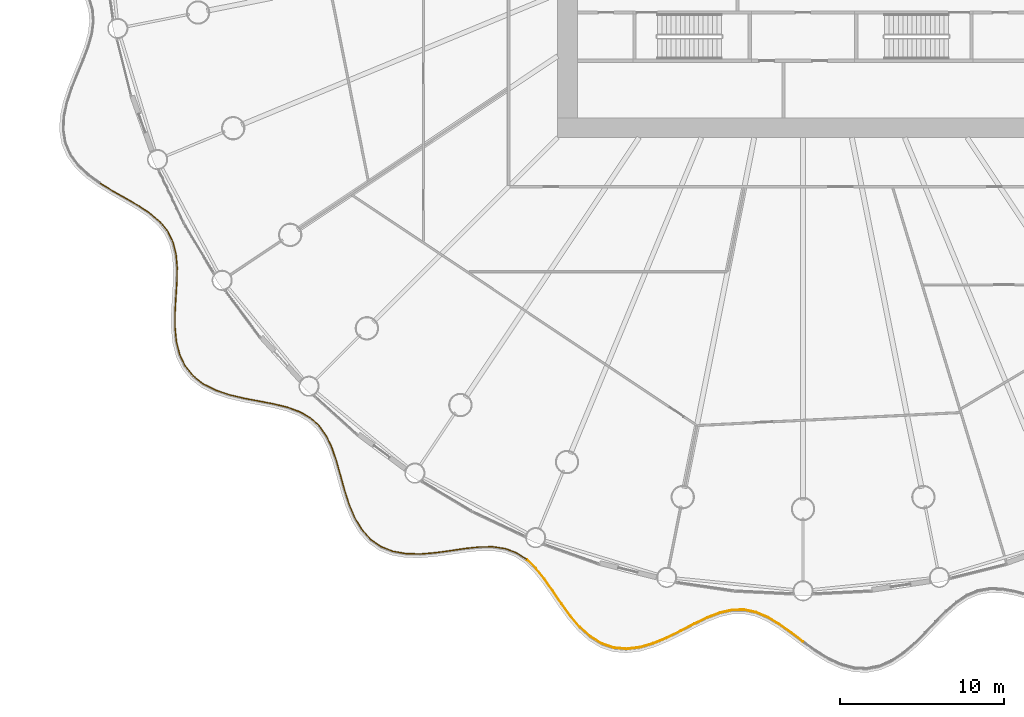
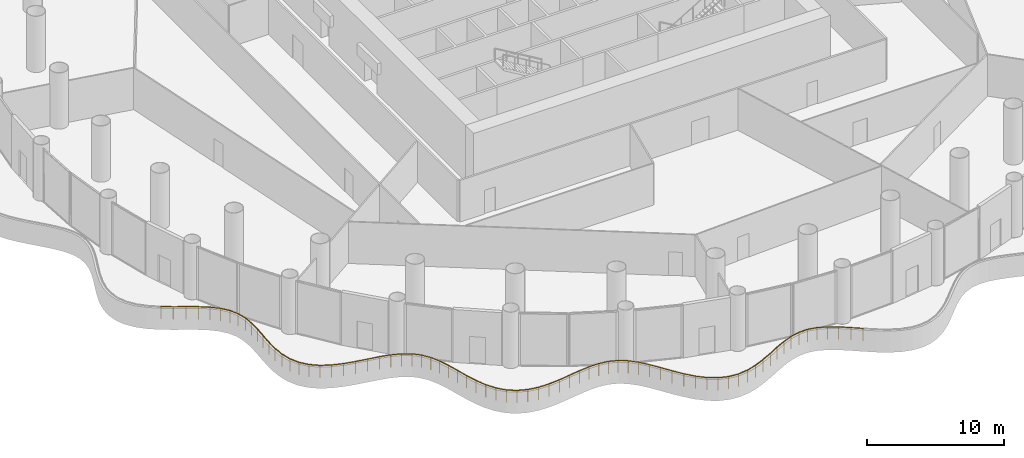
# One storey, part 28 of 35: 3 railings.
"""IFC4 building model written with IfcOpenShell, lengths in metres."""

import ifcopenshell
import ifcopenshell.guid

model = None  # the IFC model being written
_history = None  # IfcOwnerHistory: only IFC2X3 demands one
_inside = {}  # id of a spatial element -> (the spatial element, [elements in it])
_under = {}  # id of a project, library or spatial element -> (it, [spatial elements below it])
_declared = {}  # id of a project -> (the project, [libraries it declares])
_typed = {}  # id of a type object -> (the type object, [elements of that type])
_made_of = {}  # id of a material, layer set ... -> (it, [elements and type objects made of it])


def new_model(schema):
    """Start an empty IFC model of exactly this schema.

    Asked for "IFC4X3", IfcOpenShell would pick the latest addendum, in which some entities
    have other attributes; the version numbers below select the first issue.
    IFC2X3 requires an IfcOwnerHistory on every rooted entity: one is made here for all.
    """
    global model, _history
    if schema == "IFC4X3":
        model = ifcopenshell.file(schema_version=(4, 3, 0, 0))
    else:
        model = ifcopenshell.file(schema=schema)
    _inside.clear()
    _under.clear()
    _declared.clear()
    _typed.clear()
    _made_of.clear()
    _history = None
    if model.schema == "IFC2X3":
        org = make("IfcOrganization", Name="unknown")
        user = make(
            "IfcPersonAndOrganization",
            ThePerson=make("IfcPerson", FamilyName="unknown"),
            TheOrganization=org,
        )
        app = make(
            "IfcApplication",
            ApplicationDeveloper=org,
            Version="unknown",
            ApplicationFullName="unknown",
            ApplicationIdentifier="unknown",
        )
        _history = make(
            "IfcOwnerHistory",
            OwningUser=user,
            OwningApplication=app,
            ChangeAction="ADDED",
            CreationDate=0,
        )
    return model


def make(cls, **values):
    """One entity of the class cls with the attributes given. An attribute that is None is left unset."""
    return model.create_entity(
        cls, **{name: value for name, value in values.items() if value is not None}
    )


def rooted(cls, **values):
    """An entity with a GlobalId (a new one), such as an element, a storey or a relation."""
    return make(cls, GlobalId=ifcopenshell.guid.new(), OwnerHistory=_history, **values)


def si_unit(unit_type, name, prefix=None):
    """IfcSIUnit, for example si_unit("LENGTHUNIT", "METRE", prefix="MILLI")."""
    return make("IfcSIUnit", UnitType=unit_type, Prefix=prefix, Name=name)


def assignment(units):
    """IfcUnitAssignment: the units of a project."""
    return None if units is None else make("IfcUnitAssignment", Units=units)


def point(xyz):
    """IfcCartesianPoint."""
    return None if xyz is None else make("IfcCartesianPoint", Coordinates=xyz)


def direction(xyz):
    """IfcDirection."""
    return None if xyz is None else make("IfcDirection", DirectionRatios=xyz)


def frame(location, z_axis=None, x_axis=None):
    """IfcAxis2Placement3D, a coordinate frame: its origin and axes. An axis left out is left unset."""
    return make(
        "IfcAxis2Placement3D",
        Location=point(location),
        Axis=direction(z_axis),
        RefDirection=direction(x_axis),
    )


def frame_2d(location, x_axis=None):
    """IfcAxis2Placement2D, a coordinate frame in the plane: its origin and x axis."""
    return make(
        "IfcAxis2Placement2D", Location=point(location), RefDirection=direction(x_axis)
    )


def origin():
    """The frame at (0, 0, 0) with its axes left unset."""
    return frame((0.0, 0.0, 0.0))


def origin_2d():
    """The frame at (0, 0) in the plane with its x axis left unset."""
    return frame_2d((0.0, 0.0))


def place(relative_to, where):
    """IfcLocalPlacement: puts the frame where relative to a parent placement (None: the world)."""
    return make(
        "IfcLocalPlacement", PlacementRelTo=relative_to, RelativePlacement=where
    )


def context(
    kind, dimensions, precision=None, world=None, true_north=None, identifier=None
):
    """IfcGeometricRepresentationContext, for example the 3D "Model" context."""
    return make(
        "IfcGeometricRepresentationContext",
        ContextIdentifier=identifier,
        ContextType=kind,
        CoordinateSpaceDimension=dimensions,
        Precision=precision,
        WorldCoordinateSystem=world,
        TrueNorth=true_north,
    )


def subcontext(parent, identifier, kind, view, scale=None):
    """IfcGeometricRepresentationSubContext, for example "Body" below "Model"."""
    return make(
        "IfcGeometricRepresentationSubContext",
        ContextIdentifier=identifier,
        ContextType=kind,
        ParentContext=parent,
        TargetScale=scale,
        TargetView=view,
    )


def project(units=None, contexts=None):
    """IfcProject with its units and contexts."""
    return rooted(
        "IfcProject",
        Name="project",
        RepresentationContexts=contexts,
        UnitsInContext=assignment(units),
    )


def spatial(cls, under=None, at=None, **own):
    """A site, building, storey or space (cls), placed at a placement, below another one or the project."""
    s = rooted(cls, ObjectPlacement=at, **own)
    if under is not None:
        _under.setdefault(under.id(), (under, []))[1].append(s)
    return s


def profile(cls, at=None, kind="AREA", **sizes):
    """A parametric profile (cls). Its sizes go by their IFC names, for example OverallWidth=200.0."""
    return make(cls, ProfileType=kind, Position=at, **sizes)


def circle(**sizes):
    """IfcCircleProfileDef."""
    return profile("IfcCircleProfileDef", **sizes)


def extrude(swept, where, along, depth):
    """IfcExtrudedAreaSolid: the profile swept, set in the frame where, extruded along a direction by depth."""
    return make(
        "IfcExtrudedAreaSolid",
        SweptArea=swept,
        Position=where,
        ExtrudedDirection=direction(along),
        Depth=depth,
    )


def shape(context_of_items, identifier, shape_type, items):
    """IfcShapeRepresentation: the items that make up one representation, for example the "Body"."""
    return make(
        "IfcShapeRepresentation",
        ContextOfItems=context_of_items,
        RepresentationIdentifier=identifier,
        RepresentationType=shape_type,
        Items=items,
    )


def material(Name=None, Category=None):
    """IfcMaterial."""
    return make("IfcMaterial", Name=Name, Category=Category)


def made_of(thing, what):
    """Note that an element or type object is made of a material, layer set ...; save() writes the relation."""
    if what is not None:
        _made_of.setdefault(what.id(), (what, []))[1].append(thing)
    return thing


def type_object(cls, material=None, **own):
    """A type object (cls), such as IfcWallType, which elements share."""
    return made_of(rooted(cls, **own), material)


def element(
    cls,
    number,
    at=None,
    inside=None,
    cuts=None,
    type_object=None,
    material=None,
    context=None,
    identifier="Body",
    shape_type=None,
    held_by="IfcProductDefinitionShape",
    body=None,
    shapes=None,
    **own,
):
    """One element of the class cls, such as IfcWall. Its Tag is "e" and its number.

    at: its placement. inside: the storey or other place that contains it. cuts: it is an
    opening in that element (IfcRelVoidsElement). A single representation is given by context,
    identifier, shape_type and body (its items); several are given by shapes. held_by: the class
    of the entity that holds the representations. save() writes the other relations.
    """
    e = rooted(cls, Tag="e%d" % number, ObjectPlacement=at, **own)
    if body is not None:
        shapes = [shape(context, identifier, shape_type, body)]
    if shapes is not None:
        e.Representation = make(held_by, Representations=shapes)
    if inside is not None:
        _inside.setdefault(inside.id(), (inside, []))[1].append(e)
    if cuts is not None:
        rooted(
            "IfcRelVoidsElement", RelatingBuildingElement=cuts, RelatedOpeningElement=e
        )
    if type_object is not None:
        _typed.setdefault(type_object.id(), (type_object, []))[1].append(e)
    return made_of(e, material)


def aggregate(whole, parts):
    """IfcRelAggregates: a whole, such as a stair, and the parts it consists of."""
    return rooted("IfcRelAggregates", RelatingObject=whole, RelatedObjects=parts)


def save(model, path):
    """Write the relations noted so far, then the file.

    IfcRelAggregates (storeys below a building ...), IfcRelContainedInSpatialStructure (elements
    in a storey), IfcRelDefinesByType, IfcRelAssociatesMaterial and IfcRelDeclares: one each for
    every whole, place, type object, material and project.
    """
    for whole, parts in _under.values():
        aggregate(whole, parts)
    for where, things in _inside.values():
        rooted(
            "IfcRelContainedInSpatialStructure",
            RelatedElements=things,
            RelatingStructure=where,
        )
    for kind, things in _typed.values():
        rooted("IfcRelDefinesByType", RelatedObjects=things, RelatingType=kind)
    for what, things in _made_of.values():
        rooted("IfcRelAssociatesMaterial", RelatedObjects=things, RelatingMaterial=what)
    for by, libraries in _declared.values():
        rooted("IfcRelDeclares", RelatingContext=by, RelatedDefinitions=libraries)
    model.write(path)


model = new_model("IFC4")

# Units and contexts
model_context = context("Model", 3, precision=1e-05, world=origin(), true_north=direction((0.0, 1.0)))
body_context = subcontext(model_context, "Body", "Model", "MODEL_VIEW")
ifc_project = project(units=[si_unit("LENGTHUNIT", "METRE"), si_unit("AREAUNIT", "SQUARE_METRE"), si_unit("VOLUMEUNIT", "CUBIC_METRE"), si_unit("PLANEANGLEUNIT", "RADIAN"), si_unit("MASSUNIT", "GRAM", prefix="KILO")], contexts=[model_context])

# Site, building, storey
site_placement = place(None, origin())
site = spatial("IfcSite", under=ifc_project, at=site_placement, CompositionType="ELEMENT")
building_placement = place(site_placement, origin())
building = spatial("IfcBuilding", under=site, at=building_placement, Name="Corvane Civic Tower", CompositionType="ELEMENT")
storey_placement = place(building_placement, frame((0.0, 0.0, 22.0)))
storey = spatial("IfcBuildingStorey", under=building, at=storey_placement, Name="L04", CompositionType="ELEMENT", Elevation=22.0)

# Railings
ifc_material = material(Name="Steel ASTM A572 Gr 50", Category="steel")
railing_type = type_object("IfcRailingType", Name="PODIUM-RL-GUARD-1100", PredefinedType="GUARDRAIL", material=ifc_material)
railing_1_placement = place(storey_placement, frame((-42.93798828125, -17.8076171875, 0.0)))
element("IfcRailing", 1, at=railing_1_placement, inside=storey, type_object=railing_type, Name="L04 ribbon guard 6", PredefinedType="GUARDRAIL", context=body_context, shape_type="SweptSolid", body=[
    extrude(circle(Radius=0.02392578125, at=origin_2d()), frame((0.0, 0.0, 1.076171875), z_axis=(0.853541712611, -0.521024514618, 0.0), x_axis=(0.521024514618, 0.853541712611, 0.0)), (0.0, 0.0, 1.0), 0.9052734375),
    extrude(circle(Radius=0.02392578125, at=origin_2d()), frame((0.772705078125, -0.4716796875, 1.076171875), z_axis=(0.870748285656, -0.491729013814, 0.0), x_axis=(0.491729013814, 0.870748285656, 0.0)), (0.0, 0.0, 1.0), 0.931396484375),
    extrude(circle(Radius=0.02392578125, at=origin_2d()), frame((1.583740234375, -0.9296875, 1.076171875), z_axis=(0.864299099321, -0.502978197254, 0.0), x_axis=(0.502978197254, 0.864299099321, 0.0)), (0.0, 0.0, 1.0), 0.9013671875),
    extrude(circle(Radius=0.02392578125, at=origin_2d()), frame((2.36279296875, -1.383056640625, 1.076171875), z_axis=(0.830316422617, -0.557292237819, 0.0), x_axis=(0.557292237819, 0.830316422617, 0.0)), (0.0, 0.0, 1.0), 0.846923828125),
    extrude(circle(Radius=0.02392578125, at=origin_2d()), frame((3.06591796875, -1.85498046875, 1.076171875), z_axis=(0.755462994183, -0.655191318945, 0.0), x_axis=(0.655191318945, 0.755462994183, 0.0)), (0.0, 0.0, 1.0), 0.783935546875),
    extrude(circle(Radius=0.02392578125, at=origin_2d()), frame((3.658203125, -2.36865234375, 1.076171875), z_axis=(0.624330295783, -0.781160471201, 0.0), x_axis=(0.781160471201, 0.624330295783, 0.0)), (0.0, 0.0, 1.0), 0.73486328125),
    extrude(circle(Radius=0.02392578125, at=origin_2d()), frame((4.116943359375, -2.942626953125, 1.076171875), z_axis=(0.439343683405, -0.898319056823, 0.0), x_axis=(0.898319056823, 0.439343683405, 0.0)), (0.0, 0.0, 1.0), 0.72119140625),
    extrude(circle(Radius=0.02392578125, at=origin_2d()), frame((4.433837890625, -3.590576171875, 1.076171875), z_axis=(0.242305726645, -0.970199945802, 0.0), x_axis=(0.970199945802, 0.242305726645, 0.0)), (0.0, 0.0, 1.0), 0.749755859375),
    extrude(circle(Radius=0.02392578125, at=origin_2d()), frame((4.615478515625, -4.31787109375, 1.076171875), z_axis=(0.082895253432, -0.996558265712, 0.0), x_axis=(0.996558265712, 0.082895253432, 0.0)), (0.0, 0.0, 1.0), 0.806884765625),
    extrude(circle(Radius=0.02392578125, at=origin_2d()), frame((4.682373046875, -5.1220703125, 1.076171875), z_axis=(-0.017698828856, -0.999843363461, 0.0), x_axis=(0.999843363461, -0.017698828856, 0.0)), (0.0, 0.0, 1.0), 0.869140625),
    extrude(circle(Radius=0.02392578125, at=origin_2d()), frame((4.6669921875, -5.990966796875, 1.076171875), z_axis=(-0.062378286155, -0.998052578483, 0.0), x_axis=(0.998052578483, -0.062378286155, 0.0)), (0.0, 0.0, 1.0), 0.915771484375),
    extrude(circle(Radius=0.02392578125, at=origin_2d()), frame((4.60986328125, -6.905029296875, 1.076171875), z_axis=(-0.057206008529, -0.99836239542, 0.0), x_axis=(0.99836239542, -0.057206008529, 0.0)), (0.0, 0.0, 1.0), 0.9345703125),
    extrude(circle(Radius=0.02392578125, at=origin_2d()), frame((4.556396484375, -7.838134765625, 1.076171875), z_axis=(-0.005823088143, -0.999983045679, 0.0), x_axis=(0.999983045679, -0.005823088143, 0.0)), (0.0, 0.0, 1.0), 0.92236328125),
    extrude(circle(Radius=0.02392578125, at=origin_2d()), frame((4.551025390625, -8.760498046875, 1.076171875), z_axis=(0.093323602444, -0.995635829622, 0.0), x_axis=(0.995635829622, 0.093323602444, 0.0)), (0.0, 0.0, 1.0), 0.88427734375),
    extrude(circle(Radius=0.02392578125, at=origin_2d()), frame((4.633544921875, -9.640869140625, 1.076171875), z_axis=(0.242742062121, -0.970090867536, 0.0), x_axis=(0.970090867536, 0.242742062121, 0.0)), (0.0, 0.0, 1.0), 0.834716796875),
    extrude(circle(Radius=0.02392578125, at=origin_2d()), frame((4.836181640625, -10.45068359375, 1.076171875), z_axis=(0.431760372799, -0.901988348306, 0.0), x_axis=(0.901988348306, 0.431760372799, 0.0)), (0.0, 0.0, 1.0), 0.793212890625),
    extrude(circle(Radius=0.02392578125, at=origin_2d()), frame((5.1787109375, -11.166259765625, 1.076171875), z_axis=(0.629044862089, -0.777368999561, 0.0), x_axis=(0.777368999561, 0.629044862089, 0.0)), (0.0, 0.0, 1.0), 0.778564453125),
    extrude(circle(Radius=0.02392578125, at=origin_2d()), frame((5.66845703125, -11.771484375, 1.076171875), z_axis=(0.790059622906, -0.61303000926, 0.0), x_axis=(0.61303000926, 0.790059622906, 0.0)), (0.0, 0.0, 1.0), 0.798583984375),
    extrude(circle(Radius=0.02392578125, at=origin_2d()), frame((6.29931640625, -12.260986328125, 1.076171875), z_axis=(0.893439715257, -0.449183119899, 0.0), x_axis=(0.449183119899, 0.893439715257, 0.0)), (0.0, 0.0, 1.0), 0.842529296875),
    extrude(circle(Radius=0.02392578125, at=origin_2d()), frame((7.052001953125, -12.639404296875, 1.076171875), z_axis=(0.948491454039, -0.316802717183, 0.0), x_axis=(0.316802717183, 0.948491454039, 0.0)), (0.0, 0.0, 1.0), 0.8916015625),
    extrude(circle(Radius=0.02392578125, at=origin_2d()), frame((7.897705078125, -12.921875, 1.076171875), z_axis=(0.973472452601, -0.228804248269, 0.0), x_axis=(0.228804248269, 0.973472452601, 0.0)), (0.0, 0.0, 1.0), 0.92626953125),
    extrude(circle(Radius=0.02392578125, at=origin_2d()), frame((8.79931640625, -13.1337890625, 1.076171875), z_axis=(0.982577987105, -0.185850744568, 0.0), x_axis=(0.185850744568, 0.982577987105, 0.0)), (0.0, 0.0, 1.0), 0.93408203125),
    extrude(circle(Radius=0.02392578125, at=origin_2d()), frame((9.717041015625, -13.307373046875, 1.076171875), z_axis=(0.9821077169, -0.188320026567, 0.0), x_axis=(0.188320026567, 0.9821077169, 0.0)), (0.0, 0.0, 1.0), 0.91015625),
    extrude(circle(Radius=0.02392578125, at=origin_2d()), frame((10.61083984375, -13.478759765625, 1.076171875), z_axis=(0.970741675092, -0.24012621731, 0.0), x_axis=(0.24012621731, 0.970741675092, 0.0)), (0.0, 0.0, 1.0), 0.834716796875),
    extrude(circle(Radius=0.02099609375, at=origin_2d()), origin(), (0.0, 0.0, 1.0), 1.052001953125),
    extrude(circle(Radius=0.02099609375, at=origin_2d()), frame((0.772705078125, -0.4716796875, 0.0)), (0.0, 0.0, 1.0), 1.052001953125),
    extrude(circle(Radius=0.02099609375, at=origin_2d()), frame((1.583740234375, -0.9296875, 0.0)), (0.0, 0.0, 1.0), 1.052001953125),
    extrude(circle(Radius=0.02099609375, at=origin_2d()), frame((2.36279296875, -1.383056640625, 0.0)), (0.0, 0.0, 1.0), 1.052001953125),
    extrude(circle(Radius=0.02099609375, at=origin_2d()), frame((3.06591796875, -1.85498046875, 0.0)), (0.0, 0.0, 1.0), 1.052001953125),
    extrude(circle(Radius=0.02099609375, at=origin_2d()), frame((3.658203125, -2.36865234375, 0.0)), (0.0, 0.0, 1.0), 1.052001953125),
    extrude(circle(Radius=0.02099609375, at=origin_2d()), frame((4.116943359375, -2.942626953125, 0.0)), (0.0, 0.0, 1.0), 1.052001953125),
    extrude(circle(Radius=0.02099609375, at=origin_2d()), frame((4.433837890625, -3.590576171875, 0.0)), (0.0, 0.0, 1.0), 1.052001953125),
    extrude(circle(Radius=0.02099609375, at=origin_2d()), frame((4.615478515625, -4.31787109375, 0.0)), (0.0, 0.0, 1.0), 1.052001953125),
    extrude(circle(Radius=0.02099609375, at=origin_2d()), frame((4.682373046875, -5.1220703125, 0.0)), (0.0, 0.0, 1.0), 1.052001953125),
    extrude(circle(Radius=0.02099609375, at=origin_2d()), frame((4.6669921875, -5.990966796875, 0.0)), (0.0, 0.0, 1.0), 1.052001953125),
    extrude(circle(Radius=0.02099609375, at=origin_2d()), frame((4.60986328125, -6.905029296875, 0.0)), (0.0, 0.0, 1.0), 1.052001953125),
    extrude(circle(Radius=0.02099609375, at=origin_2d()), frame((4.556396484375, -7.838134765625, 0.0)), (0.0, 0.0, 1.0), 1.052001953125),
    extrude(circle(Radius=0.02099609375, at=origin_2d()), frame((4.551025390625, -8.760498046875, 0.0)), (0.0, 0.0, 1.0), 1.052001953125),
    extrude(circle(Radius=0.02099609375, at=origin_2d()), frame((4.633544921875, -9.640869140625, 0.0)), (0.0, 0.0, 1.0), 1.052001953125),
    extrude(circle(Radius=0.02099609375, at=origin_2d()), frame((4.836181640625, -10.45068359375, 0.0)), (0.0, 0.0, 1.0), 1.052001953125),
    extrude(circle(Radius=0.02099609375, at=origin_2d()), frame((5.1787109375, -11.166259765625, 0.0)), (0.0, 0.0, 1.0), 1.052001953125),
    extrude(circle(Radius=0.02099609375, at=origin_2d()), frame((5.66845703125, -11.771484375, 0.0)), (0.0, 0.0, 1.0), 1.052001953125),
    extrude(circle(Radius=0.02099609375, at=origin_2d()), frame((6.29931640625, -12.260986328125, 0.0)), (0.0, 0.0, 1.0), 1.052001953125),
    extrude(circle(Radius=0.02099609375, at=origin_2d()), frame((7.052001953125, -12.639404296875, 0.0)), (0.0, 0.0, 1.0), 1.052001953125),
    extrude(circle(Radius=0.02099609375, at=origin_2d()), frame((7.897705078125, -12.921875, 0.0)), (0.0, 0.0, 1.0), 1.052001953125),
    extrude(circle(Radius=0.02099609375, at=origin_2d()), frame((8.79931640625, -13.1337890625, 0.0)), (0.0, 0.0, 1.0), 1.052001953125),
    extrude(circle(Radius=0.02099609375, at=origin_2d()), frame((9.717041015625, -13.307373046875, 0.0)), (0.0, 0.0, 1.0), 1.052001953125),
    extrude(circle(Radius=0.02099609375, at=origin_2d()), frame((10.61083984375, -13.478759765625, 0.0)), (0.0, 0.0, 1.0), 1.052001953125),
    extrude(circle(Radius=0.02099609375, at=origin_2d()), frame((11.421142578125, -13.67919921875, 0.0)), (0.0, 0.0, 1.0), 1.052001953125),
])
railing_2_placement = place(storey_placement, frame((-31.46923828125, -31.501220703125, 0.0)))
element("IfcRailing", 2, at=railing_2_placement, inside=storey, type_object=railing_type, Name="L04 ribbon guard 7", PredefinedType="GUARDRAIL", context=body_context, shape_type="SweptSolid", body=[
    extrude(circle(Radius=0.02392578125, at=origin_2d()), frame((0.0, 0.0, 1.076171875), z_axis=(0.938596626337, -0.345016482255, 0.0), x_axis=(0.345016482255, 0.938596626337, 0.0)), (0.0, 0.0, 1.0), 0.77197265625),
    extrude(circle(Radius=0.02392578125, at=origin_2d()), frame((0.724609375, -0.266357421875, 1.076171875), z_axis=(0.866070652979, -0.499921617905, 0.0), x_axis=(0.499921617905, 0.866070652979, 0.0)), (0.0, 0.0, 1.0), 0.74267578125),
    extrude(circle(Radius=0.02392578125, at=origin_2d()), frame((1.367919921875, -0.6376953125, 1.076171875), z_axis=(0.739694707846, -0.672942597243, 0.0), x_axis=(0.672942597243, 0.739694707846, 0.0)), (0.0, 0.0, 1.0), 0.720458984375),
    extrude(circle(Radius=0.02392578125, at=origin_2d()), frame((1.90087890625, -1.12255859375, 1.076171875), z_axis=(0.57820939939, -0.815888405639, 0.0), x_axis=(0.815888405639, 0.57820939939, 0.0)), (0.0, 0.0, 1.0), 0.74072265625),
    extrude(circle(Radius=0.02392578125, at=origin_2d()), frame((2.3291015625, -1.726806640625, 1.076171875), z_axis=(0.428284722671, -0.903643843739, 0.0), x_axis=(0.903643843739, 0.428284722671, 0.0)), (0.0, 0.0, 1.0), 0.79345703125),
    extrude(circle(Radius=0.02392578125, at=origin_2d()), frame((2.6689453125, -2.44384765625, 1.076171875), z_axis=(0.323486238815, -0.946232874771, 0.0), x_axis=(0.946232874771, 0.323486238815, 0.0)), (0.0, 0.0, 1.0), 0.856689453125),
    extrude(circle(Radius=0.02392578125, at=origin_2d()), frame((2.946044921875, -3.25439453125, 1.076171875), z_axis=(0.27020829344, -0.962801889361, 0.0), x_axis=(0.962801889361, 0.27020829344, 0.0)), (0.0, 0.0, 1.0), 0.907958984375),
    extrude(circle(Radius=0.02392578125, at=origin_2d()), frame((3.19140625, -4.128662109375, 1.076171875), z_axis=(0.265174717502, -0.964200378136, 0.0), x_axis=(0.964200378136, 0.265174717502, 0.0)), (0.0, 0.0, 1.0), 0.93359375),
    extrude(circle(Radius=0.02392578125, at=origin_2d()), frame((3.43896484375, -5.02880859375, 1.076171875), z_axis=(0.305148278074, -0.952304850554, 0.0), x_axis=(0.952304850554, 0.305148278074, 0.0)), (0.0, 0.0, 1.0), 0.92724609375),
    extrude(circle(Radius=0.02392578125, at=origin_2d()), frame((3.721923828125, -5.911865234375, 1.076171875), z_axis=(0.38870412864, -0.921362632398, 0.0), x_axis=(0.921362632398, 0.38870412864, 0.0)), (0.0, 0.0, 1.0), 0.893798828125),
    extrude(circle(Radius=0.02392578125, at=origin_2d()), frame((4.0693359375, -6.7353515625, 1.076171875), z_axis=(0.513518536893, -0.858078500061, 0.0), x_axis=(0.858078500061, 0.513518536893, 0.0)), (0.0, 0.0, 1.0), 0.84521484375),
    extrude(circle(Radius=0.02392578125, at=origin_2d()), frame((4.50341796875, -7.460693359375, 1.076171875), z_axis=(0.667784085186, -0.744355033282, 0.0), x_axis=(0.744355033282, 0.667784085186, 0.0)), (0.0, 0.0, 1.0), 0.80029296875),
    extrude(circle(Radius=0.02392578125, at=origin_2d()), frame((5.037841796875, -8.056396484375, 1.076171875), z_axis=(0.819599865422, -0.572936349519, 0.0), x_axis=(0.572936349519, 0.819599865422, 0.0)), (0.0, 0.0, 1.0), 0.779052734375),
    extrude(circle(Radius=0.02392578125, at=origin_2d()), frame((5.67626953125, -8.502685546875, 1.076171875), z_axis=(0.93031592325, -0.36675916205, 0.0), x_axis=(0.36675916205, 0.93031592325, 0.0)), (0.0, 0.0, 1.0), 0.79150390625),
    extrude(circle(Radius=0.02392578125, at=origin_2d()), frame((6.41259765625, -8.79296875, 1.076171875), z_axis=(0.985261242939, -0.171056374221, 0.0), x_axis=(0.171056374221, 0.985261242939, 0.0)), (0.0, 0.0, 1.0), 0.83203125),
    extrude(circle(Radius=0.02392578125, at=origin_2d()), frame((7.232421875, -8.935302734375, 1.076171875), z_axis=(0.999843060515, -0.017715934627, 0.0), x_axis=(0.017715934627, 0.999843060515, 0.0)), (0.0, 0.0, 1.0), 0.882080078125),
    extrude(circle(Radius=0.02392578125, at=origin_2d()), frame((8.1142578125, -8.950927734375, 1.076171875), z_axis=(0.996416573236, 0.084581396185, 0.0), x_axis=(-0.084581396185, 0.996416573236, 0.0)), (0.0, 0.0, 1.0), 0.9208984375),
    extrude(circle(Radius=0.02392578125, at=origin_2d()), frame((9.03173828125, -8.873046875, 1.076171875), z_axis=(0.990414035731, 0.138130510124, 0.0), x_axis=(-0.138130510124, 0.990414035731, 0.0)), (0.0, 0.0, 1.0), 0.93505859375),
    extrude(circle(Radius=0.02392578125, at=origin_2d()), frame((9.957763671875, -8.743896484375, 1.076171875), z_axis=(0.989388407439, 0.145294801093, 0.0), x_axis=(-0.145294801093, 0.989388407439, 0.0)), (0.0, 0.0, 1.0), 0.91748046875),
    extrude(circle(Radius=0.02392578125, at=origin_2d()), frame((10.865478515625, -8.610595703125, 1.076171875), z_axis=(0.994592536379, 0.103854160145, 0.0), x_axis=(-0.103854160145, 0.994592536379, 0.0)), (0.0, 0.0, 1.0), 0.8720703125),
    extrude(circle(Radius=0.02392578125, at=origin_2d()), frame((11.73291015625, -8.52001953125, 1.076171875), z_axis=(0.99997997176, 0.006328987163, 0.0), x_axis=(-0.006328987163, 0.99997997176, 0.0)), (0.0, 0.0, 1.0), 0.81005859375),
    extrude(circle(Radius=0.02392578125, at=origin_2d()), frame((12.54296875, -8.514892578125, 1.076171875), z_axis=(0.988498908291, -0.151228001071, 0.0), x_axis=(0.151228001071, 0.988498908291, 0.0)), (0.0, 0.0, 1.0), 0.752197265625),
    extrude(circle(Radius=0.02392578125, at=origin_2d()), frame((13.28662109375, -8.628662109375, 1.076171875), z_axis=(0.935688132565, -0.352828171462, 0.0), x_axis=(0.352828171462, 0.935688132565, 0.0)), (0.0, 0.0, 1.0), 0.7216796875),
    extrude(circle(Radius=0.02392578125, at=origin_2d()), frame((13.9619140625, -8.88330078125, 1.076171875), z_axis=(0.836112155797, -0.548558531907, 0.0), x_axis=(0.548558531907, 0.836112155797, 0.0)), (0.0, 0.0, 1.0), 0.7080078125),
    extrude(circle(Radius=0.02099609375, at=origin_2d()), origin(), (0.0, 0.0, 1.0), 1.052001953125),
    extrude(circle(Radius=0.02099609375, at=origin_2d()), frame((0.724609375, -0.266357421875, 0.0)), (0.0, 0.0, 1.0), 1.052001953125),
    extrude(circle(Radius=0.02099609375, at=origin_2d()), frame((1.367919921875, -0.6376953125, 0.0)), (0.0, 0.0, 1.0), 1.052001953125),
    extrude(circle(Radius=0.02099609375, at=origin_2d()), frame((1.90087890625, -1.12255859375, 0.0)), (0.0, 0.0, 1.0), 1.052001953125),
    extrude(circle(Radius=0.02099609375, at=origin_2d()), frame((2.3291015625, -1.726806640625, 0.0)), (0.0, 0.0, 1.0), 1.052001953125),
    extrude(circle(Radius=0.02099609375, at=origin_2d()), frame((2.6689453125, -2.44384765625, 0.0)), (0.0, 0.0, 1.0), 1.052001953125),
    extrude(circle(Radius=0.02099609375, at=origin_2d()), frame((2.946044921875, -3.25439453125, 0.0)), (0.0, 0.0, 1.0), 1.052001953125),
    extrude(circle(Radius=0.02099609375, at=origin_2d()), frame((3.19140625, -4.128662109375, 0.0)), (0.0, 0.0, 1.0), 1.052001953125),
    extrude(circle(Radius=0.02099609375, at=origin_2d()), frame((3.43896484375, -5.02880859375, 0.0)), (0.0, 0.0, 1.0), 1.052001953125),
    extrude(circle(Radius=0.02099609375, at=origin_2d()), frame((3.721923828125, -5.911865234375, 0.0)), (0.0, 0.0, 1.0), 1.052001953125),
    extrude(circle(Radius=0.02099609375, at=origin_2d()), frame((4.0693359375, -6.7353515625, 0.0)), (0.0, 0.0, 1.0), 1.052001953125),
    extrude(circle(Radius=0.02099609375, at=origin_2d()), frame((4.50341796875, -7.460693359375, 0.0)), (0.0, 0.0, 1.0), 1.052001953125),
    extrude(circle(Radius=0.02099609375, at=origin_2d()), frame((5.037841796875, -8.056396484375, 0.0)), (0.0, 0.0, 1.0), 1.052001953125),
    extrude(circle(Radius=0.02099609375, at=origin_2d()), frame((5.67626953125, -8.502685546875, 0.0)), (0.0, 0.0, 1.0), 1.052001953125),
    extrude(circle(Radius=0.02099609375, at=origin_2d()), frame((6.41259765625, -8.79296875, 0.0)), (0.0, 0.0, 1.0), 1.052001953125),
    extrude(circle(Radius=0.02099609375, at=origin_2d()), frame((7.232421875, -8.935302734375, 0.0)), (0.0, 0.0, 1.0), 1.052001953125),
    extrude(circle(Radius=0.02099609375, at=origin_2d()), frame((8.1142578125, -8.950927734375, 0.0)), (0.0, 0.0, 1.0), 1.052001953125),
    extrude(circle(Radius=0.02099609375, at=origin_2d()), frame((9.03173828125, -8.873046875, 0.0)), (0.0, 0.0, 1.0), 1.052001953125),
    extrude(circle(Radius=0.02099609375, at=origin_2d()), frame((9.957763671875, -8.743896484375, 0.0)), (0.0, 0.0, 1.0), 1.052001953125),
    extrude(circle(Radius=0.02099609375, at=origin_2d()), frame((10.865478515625, -8.610595703125, 0.0)), (0.0, 0.0, 1.0), 1.052001953125),
    extrude(circle(Radius=0.02099609375, at=origin_2d()), frame((11.73291015625, -8.52001953125, 0.0)), (0.0, 0.0, 1.0), 1.052001953125),
    extrude(circle(Radius=0.02099609375, at=origin_2d()), frame((12.54296875, -8.514892578125, 0.0)), (0.0, 0.0, 1.0), 1.052001953125),
    extrude(circle(Radius=0.02099609375, at=origin_2d()), frame((13.28662109375, -8.628662109375, 0.0)), (0.0, 0.0, 1.0), 1.052001953125),
    extrude(circle(Radius=0.02099609375, at=origin_2d()), frame((13.9619140625, -8.88330078125, 0.0)), (0.0, 0.0, 1.0), 1.052001953125),
    extrude(circle(Radius=0.02099609375, at=origin_2d()), frame((14.553955078125, -9.271728515625, 0.0)), (0.0, 0.0, 1.0), 1.052001953125),
])
railing_3_placement = place(storey_placement, frame((-16.876220703125, -40.803955078125, 0.0)))
element("IfcRailing", 3, at=railing_3_placement, inside=storey, type_object=railing_type, Name="L04 ribbon guard 8", PredefinedType="GUARDRAIL", context=body_context, shape_type="SweptSolid", body=[
    extrude(circle(Radius=0.02392578125, at=origin_2d()), frame((0.0, 0.0, 1.076171875), z_axis=(0.720864108813, -0.693076429137, 0.0), x_axis=(0.693076429137, 0.720864108813, 0.0)), (0.0, 0.0, 1.0), 0.755615234375),
    extrude(circle(Radius=0.02392578125, at=origin_2d()), frame((0.544677734375, -0.523681640625, 1.076171875), z_axis=(0.628006969179, -0.778207714343, 0.0), x_axis=(0.778207714343, 0.628006969179, 0.0)), (0.0, 0.0, 1.0), 0.843505859375),
    extrude(circle(Radius=0.02392578125, at=origin_2d()), frame((1.074462890625, -1.18017578125, 1.076171875), z_axis=(0.574100087846, -0.818785130016, 0.0), x_axis=(0.818785130016, 0.574100087846, 0.0)), (0.0, 0.0, 1.0), 0.89892578125),
    extrude(circle(Radius=0.02392578125, at=origin_2d()), frame((1.590576171875, -1.916259765625, 1.076171875), z_axis=(0.561642539914, -0.827379995745, 0.0), x_axis=(0.827379995745, 0.561642539914, 0.0)), (0.0, 0.0, 1.0), 0.9306640625),
    extrude(circle(Radius=0.02392578125, at=origin_2d()), frame((2.11328125, -2.686279296875, 1.076171875), z_axis=(0.587470057743, -0.809245902835, 0.0), x_axis=(0.809245902835, 0.587470057743, 0.0)), (0.0, 0.0, 1.0), 0.931396484375),
    extrude(circle(Radius=0.02392578125, at=origin_2d()), frame((2.660400390625, -3.43994140625, 1.076171875), z_axis=(0.649632433378, -0.760248447222, 0.0), x_axis=(0.760248447222, 0.649632433378, 0.0)), (0.0, 0.0, 1.0), 0.902587890625),
    extrude(circle(Radius=0.02392578125, at=origin_2d()), frame((3.246826171875, -4.126220703125, 1.076171875), z_axis=(0.742001929624, -0.67039774495, 0.0), x_axis=(0.67039774495, 0.742001929624, 0.0)), (0.0, 0.0, 1.0), 0.855712890625),
    extrude(circle(Radius=0.02392578125, at=origin_2d()), frame((3.8818359375, -4.699951171875, 1.076171875), z_axis=(0.851004426203, -0.525158515673, 0.0), x_axis=(0.525158515673, 0.851004426203, 0.0)), (0.0, 0.0, 1.0), 0.808349609375),
    extrude(circle(Radius=0.02392578125, at=origin_2d()), frame((4.56982421875, -5.12451171875, 1.076171875), z_axis=(0.946151380066, -0.323724521775, 0.0), x_axis=(0.323724521775, 0.946151380066, 0.0)), (0.0, 0.0, 1.0), 0.780517578125),
    extrude(circle(Radius=0.02392578125, at=origin_2d()), frame((5.308349609375, -5.377197265625, 1.076171875), z_axis=(0.995710533683, -0.092523149061, 0.0), x_axis=(0.092523149061, 0.995710533683, 0.0)), (0.0, 0.0, 1.0), 0.786376953125),
    extrude(circle(Radius=0.02392578125, at=origin_2d()), frame((6.09130859375, -5.449951171875, 1.076171875), z_axis=(0.992847296115, 0.119391149578, 0.0), x_axis=(-0.119391149578, 0.992847296115, 0.0)), (0.0, 0.0, 1.0), 0.822021484375),
    extrude(circle(Radius=0.02392578125, at=origin_2d()), frame((6.907470703125, -5.351806640625, 1.076171875), z_axis=(0.959663722222, 0.281150387251, 0.0), x_axis=(-0.281150387251, 0.959663722222, 0.0)), (0.0, 0.0, 1.0), 0.871826171875),
    extrude(circle(Radius=0.02392578125, at=origin_2d()), frame((7.744140625, -5.106689453125, 1.076171875), z_axis=(0.921776053286, 0.38772271998, 0.0), x_axis=(-0.38772271998, 0.921776053286, 0.0)), (0.0, 0.0, 1.0), 0.914306640625),
    extrude(circle(Radius=0.02392578125, at=origin_2d()), frame((8.5869140625, -4.752197265625, 1.076171875), z_axis=(0.895417863206, 0.44522674027, 0.0), x_axis=(-0.44522674027, 0.895417863206, 0.0)), (0.0, 0.0, 1.0), 0.934326171875),
    extrude(circle(Radius=0.02392578125, at=origin_2d()), frame((9.423583984375, -4.336181640625, 1.076171875), z_axis=(0.887450345084, 0.460903335863, 0.0), x_axis=(-0.460903335863, 0.887450345084, 0.0)), (0.0, 0.0, 1.0), 0.923828125),
    extrude(circle(Radius=0.02392578125, at=origin_2d()), frame((10.243408203125, -3.910400390625, 1.076171875), z_axis=(0.901389341035, 0.433009533231, 0.0), x_axis=(-0.433009533231, 0.901389341035, 0.0)), (0.0, 0.0, 1.0), 0.883544921875),
    extrude(circle(Radius=0.02392578125, at=origin_2d()), frame((11.039794921875, -3.52783203125, 1.076171875), z_axis=(0.93493311028, 0.354824011733, 0.0), x_axis=(-0.354824011733, 0.93493311028, 0.0)), (0.0, 0.0, 1.0), 0.82373046875),
    extrude(circle(Radius=0.02392578125, at=origin_2d()), frame((11.809814453125, -3.235595703125, 1.076171875), z_axis=(0.976539607514, 0.215337862338, 0.0), x_axis=(-0.215337862338, 0.976539607514, 0.0)), (0.0, 0.0, 1.0), 0.762939453125),
    extrude(circle(Radius=0.02392578125, at=origin_2d()), frame((12.554931640625, -3.0712890625, 1.076171875), z_axis=(0.999858130254, 0.016843971197, 0.0), x_axis=(-0.016843971197, 0.999858130254, 0.0)), (0.0, 0.0, 1.0), 0.724609375),
    extrude(circle(Radius=0.02392578125, at=origin_2d()), frame((13.279541015625, -3.05908203125, 1.076171875), z_axis=(0.979094755526, -0.203404669814, 0.0), x_axis=(0.203404669814, 0.979094755526, 0.0)), (0.0, 0.0, 1.0), 0.727294921875),
    extrude(circle(Radius=0.02392578125, at=origin_2d()), frame((13.99169921875, -3.20703125, 1.076171875), z_axis=(0.920796194631, -0.390044058988, 0.0), x_axis=(0.390044058988, 0.920796194631, 0.0)), (0.0, 0.0, 1.0), 0.7685546875),
    extrude(circle(Radius=0.02392578125, at=origin_2d()), frame((14.699462890625, -3.5068359375, 1.076171875), z_axis=(0.857778206672, -0.514019988092, 0.0), x_axis=(0.514019988092, 0.857778206672, 0.0)), (0.0, 0.0, 1.0), 0.830322265625),
    extrude(circle(Radius=0.02392578125, at=origin_2d()), frame((15.41162109375, -3.93359375, 1.076171875), z_axis=(0.814456442371, -0.580224700853, 0.0), x_axis=(0.580224700853, 0.814456442371, 0.0)), (0.0, 0.0, 1.0), 0.88916015625),
    extrude(circle(Radius=0.02392578125, at=origin_2d()), frame((16.1357421875, -4.449462890625, 1.076171875), z_axis=(0.799381958115, -0.600823172856, 0.0), x_axis=(0.600823172856, 0.799381958115, 0.0)), (0.0, 0.0, 1.0), 0.9013671875),
    extrude(circle(Radius=0.02099609375, at=origin_2d()), origin(), (0.0, 0.0, 1.0), 1.052001953125),
    extrude(circle(Radius=0.02099609375, at=origin_2d()), frame((0.544677734375, -0.523681640625, 0.0)), (0.0, 0.0, 1.0), 1.052001953125),
    extrude(circle(Radius=0.02099609375, at=origin_2d()), frame((1.074462890625, -1.18017578125, 0.0)), (0.0, 0.0, 1.0), 1.052001953125),
    extrude(circle(Radius=0.02099609375, at=origin_2d()), frame((1.590576171875, -1.916259765625, 0.0)), (0.0, 0.0, 1.0), 1.052001953125),
    extrude(circle(Radius=0.02099609375, at=origin_2d()), frame((2.11328125, -2.686279296875, 0.0)), (0.0, 0.0, 1.0), 1.052001953125),
    extrude(circle(Radius=0.02099609375, at=origin_2d()), frame((2.660400390625, -3.43994140625, 0.0)), (0.0, 0.0, 1.0), 1.052001953125),
    extrude(circle(Radius=0.02099609375, at=origin_2d()), frame((3.246826171875, -4.126220703125, 0.0)), (0.0, 0.0, 1.0), 1.052001953125),
    extrude(circle(Radius=0.02099609375, at=origin_2d()), frame((3.8818359375, -4.699951171875, 0.0)), (0.0, 0.0, 1.0), 1.052001953125),
    extrude(circle(Radius=0.02099609375, at=origin_2d()), frame((4.56982421875, -5.12451171875, 0.0)), (0.0, 0.0, 1.0), 1.052001953125),
    extrude(circle(Radius=0.02099609375, at=origin_2d()), frame((5.308349609375, -5.377197265625, 0.0)), (0.0, 0.0, 1.0), 1.052001953125),
    extrude(circle(Radius=0.02099609375, at=origin_2d()), frame((6.09130859375, -5.449951171875, 0.0)), (0.0, 0.0, 1.0), 1.052001953125),
    extrude(circle(Radius=0.02099609375, at=origin_2d()), frame((6.907470703125, -5.351806640625, 0.0)), (0.0, 0.0, 1.0), 1.052001953125),
    extrude(circle(Radius=0.02099609375, at=origin_2d()), frame((7.744140625, -5.106689453125, 0.0)), (0.0, 0.0, 1.0), 1.052001953125),
    extrude(circle(Radius=0.02099609375, at=origin_2d()), frame((8.5869140625, -4.752197265625, 0.0)), (0.0, 0.0, 1.0), 1.052001953125),
    extrude(circle(Radius=0.02099609375, at=origin_2d()), frame((9.423583984375, -4.336181640625, 0.0)), (0.0, 0.0, 1.0), 1.052001953125),
    extrude(circle(Radius=0.02099609375, at=origin_2d()), frame((10.243408203125, -3.910400390625, 0.0)), (0.0, 0.0, 1.0), 1.052001953125),
    extrude(circle(Radius=0.02099609375, at=origin_2d()), frame((11.039794921875, -3.52783203125, 0.0)), (0.0, 0.0, 1.0), 1.052001953125),
    extrude(circle(Radius=0.02099609375, at=origin_2d()), frame((11.809814453125, -3.235595703125, 0.0)), (0.0, 0.0, 1.0), 1.052001953125),
    extrude(circle(Radius=0.02099609375, at=origin_2d()), frame((12.554931640625, -3.0712890625, 0.0)), (0.0, 0.0, 1.0), 1.052001953125),
    extrude(circle(Radius=0.02099609375, at=origin_2d()), frame((13.279541015625, -3.05908203125, 0.0)), (0.0, 0.0, 1.0), 1.052001953125),
    extrude(circle(Radius=0.02099609375, at=origin_2d()), frame((13.99169921875, -3.20703125, 0.0)), (0.0, 0.0, 1.0), 1.052001953125),
    extrude(circle(Radius=0.02099609375, at=origin_2d()), frame((14.699462890625, -3.5068359375, 0.0)), (0.0, 0.0, 1.0), 1.052001953125),
    extrude(circle(Radius=0.02099609375, at=origin_2d()), frame((15.41162109375, -3.93359375, 0.0)), (0.0, 0.0, 1.0), 1.052001953125),
    extrude(circle(Radius=0.02099609375, at=origin_2d()), frame((16.1357421875, -4.449462890625, 0.0)), (0.0, 0.0, 1.0), 1.052001953125),
    extrude(circle(Radius=0.02099609375, at=origin_2d()), frame((16.856201171875, -4.990966796875, 0.0)), (0.0, 0.0, 1.0), 1.052001953125),
])

save(model, "model.ifc")
